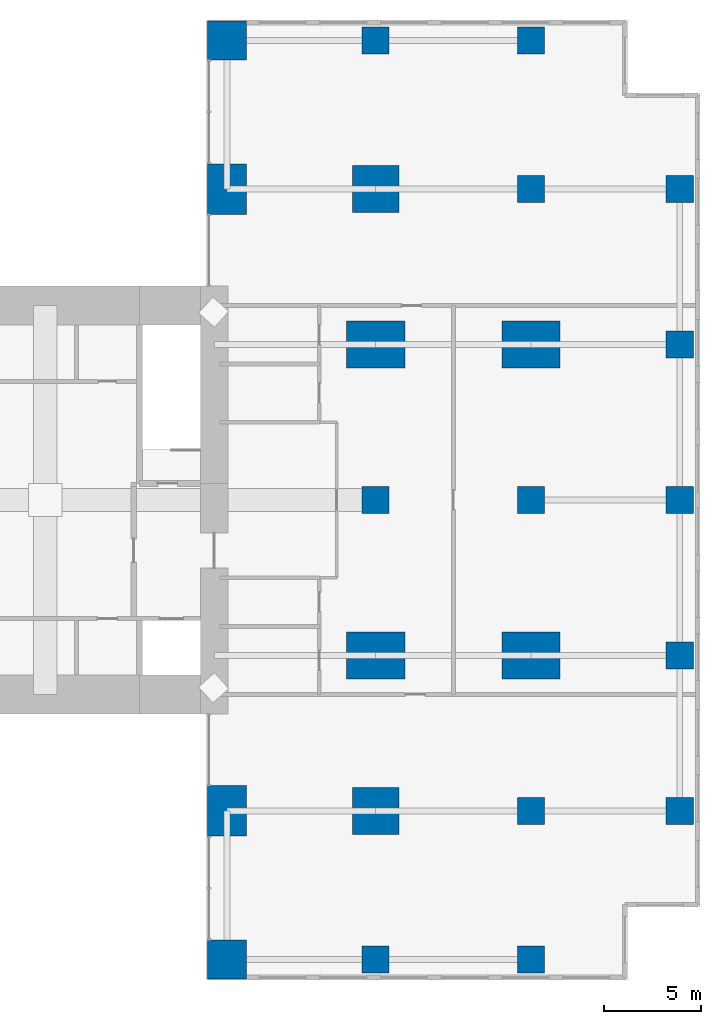
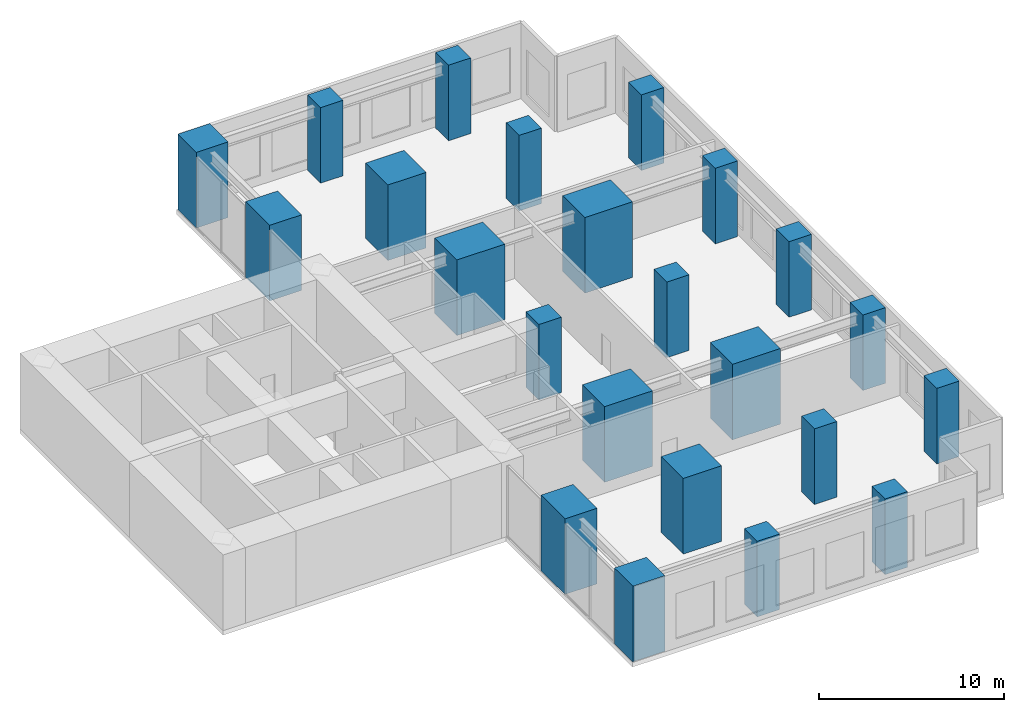
# One storey, part 1 of 7: 23 columns.
"""IFC4 building model written with IfcOpenShell, lengths in metres."""

import ifcopenshell
import ifcopenshell.guid

model = None  # the IFC model being written
_history = None  # IfcOwnerHistory: only IFC2X3 demands one
_inside = {}  # id of a spatial element -> (the spatial element, [elements in it])
_under = {}  # id of a project, library or spatial element -> (it, [spatial elements below it])
_declared = {}  # id of a project -> (the project, [libraries it declares])
_typed = {}  # id of a type object -> (the type object, [elements of that type])
_made_of = {}  # id of a material, layer set ... -> (it, [elements and type objects made of it])


def new_model(schema):
    """Start an empty IFC model of exactly this schema.

    Asked for "IFC4X3", IfcOpenShell would pick the latest addendum, in which some entities
    have other attributes; the version numbers below select the first issue.
    IFC2X3 requires an IfcOwnerHistory on every rooted entity: one is made here for all.
    """
    global model, _history
    if schema == "IFC4X3":
        model = ifcopenshell.file(schema_version=(4, 3, 0, 0))
    else:
        model = ifcopenshell.file(schema=schema)
    _inside.clear()
    _under.clear()
    _declared.clear()
    _typed.clear()
    _made_of.clear()
    _history = None
    if model.schema == "IFC2X3":
        org = make("IfcOrganization", Name="unknown")
        user = make(
            "IfcPersonAndOrganization",
            ThePerson=make("IfcPerson", FamilyName="unknown"),
            TheOrganization=org,
        )
        app = make(
            "IfcApplication",
            ApplicationDeveloper=org,
            Version="unknown",
            ApplicationFullName="unknown",
            ApplicationIdentifier="unknown",
        )
        _history = make(
            "IfcOwnerHistory",
            OwningUser=user,
            OwningApplication=app,
            ChangeAction="ADDED",
            CreationDate=0,
        )
    return model


def make(cls, **values):
    """One entity of the class cls with the attributes given. An attribute that is None is left unset."""
    return model.create_entity(
        cls, **{name: value for name, value in values.items() if value is not None}
    )


def rooted(cls, **values):
    """An entity with a GlobalId (a new one), such as an element, a storey or a relation."""
    return make(cls, GlobalId=ifcopenshell.guid.new(), OwnerHistory=_history, **values)


def si_unit(unit_type, name, prefix=None):
    """IfcSIUnit, for example si_unit("LENGTHUNIT", "METRE", prefix="MILLI")."""
    return make("IfcSIUnit", UnitType=unit_type, Prefix=prefix, Name=name)


def assignment(units):
    """IfcUnitAssignment: the units of a project."""
    return None if units is None else make("IfcUnitAssignment", Units=units)


def point(xyz):
    """IfcCartesianPoint."""
    return None if xyz is None else make("IfcCartesianPoint", Coordinates=xyz)


def direction(xyz):
    """IfcDirection."""
    return None if xyz is None else make("IfcDirection", DirectionRatios=xyz)


def frame(location, z_axis=None, x_axis=None):
    """IfcAxis2Placement3D, a coordinate frame: its origin and axes. An axis left out is left unset."""
    return make(
        "IfcAxis2Placement3D",
        Location=point(location),
        Axis=direction(z_axis),
        RefDirection=direction(x_axis),
    )


def frame_2d(location, x_axis=None):
    """IfcAxis2Placement2D, a coordinate frame in the plane: its origin and x axis."""
    return make(
        "IfcAxis2Placement2D", Location=point(location), RefDirection=direction(x_axis)
    )


def origin():
    """The frame at (0, 0, 0) with its axes left unset."""
    return frame((0.0, 0.0, 0.0))


def origin_2d():
    """The frame at (0, 0) in the plane with its x axis left unset."""
    return frame_2d((0.0, 0.0))


def place(relative_to, where):
    """IfcLocalPlacement: puts the frame where relative to a parent placement (None: the world)."""
    return make(
        "IfcLocalPlacement", PlacementRelTo=relative_to, RelativePlacement=where
    )


def context(
    kind, dimensions, precision=None, world=None, true_north=None, identifier=None
):
    """IfcGeometricRepresentationContext, for example the 3D "Model" context."""
    return make(
        "IfcGeometricRepresentationContext",
        ContextIdentifier=identifier,
        ContextType=kind,
        CoordinateSpaceDimension=dimensions,
        Precision=precision,
        WorldCoordinateSystem=world,
        TrueNorth=true_north,
    )


def subcontext(parent, identifier, kind, view, scale=None):
    """IfcGeometricRepresentationSubContext, for example "Body" below "Model"."""
    return make(
        "IfcGeometricRepresentationSubContext",
        ContextIdentifier=identifier,
        ContextType=kind,
        ParentContext=parent,
        TargetScale=scale,
        TargetView=view,
    )


def project(units=None, contexts=None):
    """IfcProject with its units and contexts."""
    return rooted(
        "IfcProject",
        Name="project",
        RepresentationContexts=contexts,
        UnitsInContext=assignment(units),
    )


def spatial(cls, under=None, at=None, **own):
    """A site, building, storey or space (cls), placed at a placement, below another one or the project."""
    s = rooted(cls, ObjectPlacement=at, **own)
    if under is not None:
        _under.setdefault(under.id(), (under, []))[1].append(s)
    return s


def profile(cls, at=None, kind="AREA", **sizes):
    """A parametric profile (cls). Its sizes go by their IFC names, for example OverallWidth=200.0."""
    return make(cls, ProfileType=kind, Position=at, **sizes)


def rectangle(**sizes):
    """IfcRectangleProfileDef."""
    return profile("IfcRectangleProfileDef", **sizes)


def extrude(swept, where, along, depth):
    """IfcExtrudedAreaSolid: the profile swept, set in the frame where, extruded along a direction by depth."""
    return make(
        "IfcExtrudedAreaSolid",
        SweptArea=swept,
        Position=where,
        ExtrudedDirection=direction(along),
        Depth=depth,
    )


def shape(context_of_items, identifier, shape_type, items):
    """IfcShapeRepresentation: the items that make up one representation, for example the "Body"."""
    return make(
        "IfcShapeRepresentation",
        ContextOfItems=context_of_items,
        RepresentationIdentifier=identifier,
        RepresentationType=shape_type,
        Items=items,
    )


def material(Name=None, Category=None):
    """IfcMaterial."""
    return make("IfcMaterial", Name=Name, Category=Category)


def material_profile(
    of_material, cross_section, Name=None, Category=None, Priority=None
):
    """IfcMaterialProfile: a cross section and its material."""
    return make(
        "IfcMaterialProfile",
        Name=Name,
        Material=of_material,
        Profile=cross_section,
        Priority=Priority,
        Category=Category,
    )


def profile_set(profiles, Name=None, composite=None):
    """IfcMaterialProfileSet."""
    return make(
        "IfcMaterialProfileSet",
        Name=Name,
        MaterialProfiles=profiles,
        CompositeProfile=composite,
    )


def made_of(thing, what):
    """Note that an element or type object is made of a material, layer set ...; save() writes the relation."""
    if what is not None:
        _made_of.setdefault(what.id(), (what, []))[1].append(thing)
    return thing


def type_object(cls, material=None, **own):
    """A type object (cls), such as IfcWallType, which elements share."""
    return made_of(rooted(cls, **own), material)


def element(
    cls,
    number,
    at=None,
    inside=None,
    cuts=None,
    type_object=None,
    material=None,
    context=None,
    identifier="Body",
    shape_type=None,
    held_by="IfcProductDefinitionShape",
    body=None,
    shapes=None,
    **own,
):
    """One element of the class cls, such as IfcWall. Its Tag is "e" and its number.

    at: its placement. inside: the storey or other place that contains it. cuts: it is an
    opening in that element (IfcRelVoidsElement). A single representation is given by context,
    identifier, shape_type and body (its items); several are given by shapes. held_by: the class
    of the entity that holds the representations. save() writes the other relations.
    """
    e = rooted(cls, Tag="e%d" % number, ObjectPlacement=at, **own)
    if body is not None:
        shapes = [shape(context, identifier, shape_type, body)]
    if shapes is not None:
        e.Representation = make(held_by, Representations=shapes)
    if inside is not None:
        _inside.setdefault(inside.id(), (inside, []))[1].append(e)
    if cuts is not None:
        rooted(
            "IfcRelVoidsElement", RelatingBuildingElement=cuts, RelatedOpeningElement=e
        )
    if type_object is not None:
        _typed.setdefault(type_object.id(), (type_object, []))[1].append(e)
    return made_of(e, material)


def aggregate(whole, parts):
    """IfcRelAggregates: a whole, such as a stair, and the parts it consists of."""
    return rooted("IfcRelAggregates", RelatingObject=whole, RelatedObjects=parts)


def save(model, path):
    """Write the relations noted so far, then the file.

    IfcRelAggregates (storeys below a building ...), IfcRelContainedInSpatialStructure (elements
    in a storey), IfcRelDefinesByType, IfcRelAssociatesMaterial and IfcRelDeclares: one each for
    every whole, place, type object, material and project.
    """
    for whole, parts in _under.values():
        aggregate(whole, parts)
    for where, things in _inside.values():
        rooted(
            "IfcRelContainedInSpatialStructure",
            RelatedElements=things,
            RelatingStructure=where,
        )
    for kind, things in _typed.values():
        rooted("IfcRelDefinesByType", RelatedObjects=things, RelatingType=kind)
    for what, things in _made_of.values():
        rooted("IfcRelAssociatesMaterial", RelatedObjects=things, RelatingMaterial=what)
    for by, libraries in _declared.values():
        rooted("IfcRelDeclares", RelatingContext=by, RelatedDefinitions=libraries)
    model.write(path)


model = new_model("IFC4")

# Units and contexts
model_context = context("Model", 3, precision=1e-05, world=origin(), true_north=direction((0.0, 1.0)))
body_context = subcontext(model_context, "Body", "Model", "MODEL_VIEW")
ifc_project = project(units=[si_unit("LENGTHUNIT", "METRE"), si_unit("AREAUNIT", "SQUARE_METRE"), si_unit("VOLUMEUNIT", "CUBIC_METRE"), si_unit("PLANEANGLEUNIT", "RADIAN"), si_unit("MASSUNIT", "GRAM", prefix="KILO")], contexts=[model_context])

# Site, building, storey
site_placement = place(None, origin())
site = spatial("IfcSite", under=ifc_project, at=site_placement, CompositionType="ELEMENT")
building_placement = place(site_placement, origin())
building = spatial("IfcBuilding", under=site, at=building_placement, Name="Cleftline Residences", CompositionType="ELEMENT")
storey_placement = place(building_placement, frame((0.0, 0.0, 296.60009765625)))
storey = spatial("IfcBuildingStorey", under=building, at=storey_placement, Name="L77", CompositionType="ELEMENT", Elevation=296.60009765625)

# Columns
ifc_material_1 = material(Name="Concrete B70", Category="concrete")
ifc_material_profile_1 = material_profile(ifc_material_1, rectangle(XDim=1.39990234375, YDim=1.39990234375, at=origin_2d()))
ifc_profile_set_1 = profile_set([ifc_material_profile_1], Name="Concrete B70")
column_type_1 = type_object("IfcColumnType", Name="COLUMN RC1400X1400", PredefinedType="COLUMN", material=ifc_profile_set_1)
for number, where, z_axis, x_axis, name in (
    (1, (50.0, 0.35009765625, 0.0), (0.0, 0.0, 1.0), (1.0, 0.0, 0.0), "Column C/9"),
    (2, (50.0, 24.0, 0.0), (0.0, 0.0, 1.0), (1.0, 0.0, 0.0), "Column F/9"),
    (3, (50.0, 47.64990234375, 0.0), (0.0, 0.0, 1.0), (1.0, 0.0, 0.0), "Column J/9"),
    (4, (58.0, 0.35009765625, 0.0), (0.0, 0.0, 1.0), (1.0, 0.0, 0.0), "Column C/10"),
    (5, (58.0, 8.0, 0.0), (0.0, 0.0, 1.0), (1.0, 0.0, 0.0), "Column D/10"),
    (6, (58.0, 24.0, 0.0), (0.0, 0.0, 1.0), (1.0, 0.0, 0.0), "Column F/10"),
    (7, (58.0, 40.0, 0.0), (0.0, 0.0, 1.0), (1.0, 0.0, 0.0), "Column H/10"),
    (8, (58.0, 47.64990234375, 0.0), (0.0, 0.0, 1.0), (1.0, 0.0, 0.0), "Column J/10"),
    (9, (65.64990234375, 8.0, 0.0), (0.0, 0.0, 1.0), (1.0, 0.0, 0.0), "Column D/11"),
    (10, (65.64990234375, 16.0, 0.0), (0.0, 0.0, 1.0), (1.0, 0.0, 0.0), "Column E/11"),
    (11, (65.64990234375, 24.0, 0.0), (0.0, 0.0, 1.0), (1.0, 0.0, 0.0), "Column F/11"),
    (12, (65.64990234375, 32.0, 0.0), (0.0, 0.0, 1.0), (1.0, 0.0, 0.0), "Column G/11"),
    (13, (65.64990234375, 40.0, 0.0), (0.0, 0.0, 1.0), (1.0, 0.0, 0.0), "Column H/11"),
):
    element("IfcColumn", number, at=place(storey_placement, frame(where, z_axis=z_axis, x_axis=x_axis)), inside=storey, type_object=column_type_1, Name=name, PredefinedType="COLUMN", context=body_context, shape_type="SweptSolid", body=[
        extrude(rectangle(XDim=1.39990234375, YDim=1.39990234375, at=origin_2d()), origin(), (0.0, 0.0, 1.0), 5.0),
    ])
ifc_material_2 = material(Name="Concrete B70", Category="concrete")
ifc_material_profile_2 = material_profile(ifc_material_2, rectangle(XDim=2.0, YDim=2.0, at=origin_2d()))
ifc_profile_set_2 = profile_set([ifc_material_profile_2], Name="Concrete B70")
column_type_2 = type_object("IfcColumnType", Name="COLUMN RC2000X2000", PredefinedType="COLUMN", material=ifc_profile_set_2)
for number, where, z_axis, x_axis, name in (
    (14, (42.35009765625, 0.35009765625, 0.0), (0.0, 0.0, 1.0), (1.0, 0.0, 0.0), "Column C/8"),
    (15, (42.35009765625, 47.64990234375, 0.0), (0.0, 0.0, 1.0), (1.0, 0.0, 0.0), "Column J/8"),
):
    element("IfcColumn", number, at=place(storey_placement, frame(where, z_axis=z_axis, x_axis=x_axis)), inside=storey, type_object=column_type_2, Name=name, PredefinedType="COLUMN", context=body_context, shape_type="SweptSolid", body=[
        extrude(rectangle(XDim=2.0, YDim=2.0, at=origin_2d()), origin(), (0.0, 0.0, 1.0), 5.0),
    ])
ifc_material_3 = material(Name="Concrete B70", Category="concrete")
ifc_material_profile_3 = material_profile(ifc_material_3, rectangle(XDim=2.0, YDim=2.60009765625, at=origin_2d()))
ifc_profile_set_3 = profile_set([ifc_material_profile_3], Name="Concrete B70")
column_type_3 = type_object("IfcColumnType", Name="COLUMN RC2000X2600", PredefinedType="COLUMN", material=ifc_profile_set_3)
for number, where, z_axis, x_axis, name in (
    (16, (42.35009765625, 8.0, 0.0), (0.0, 0.0, 1.0), (1.0, 0.0, 0.0), "Column D/8"),
    (17, (42.35009765625, 40.0, 0.0), (0.0, 0.0, 1.0), (1.0, 0.0, 0.0), "Column H/8"),
):
    element("IfcColumn", number, at=place(storey_placement, frame(where, z_axis=z_axis, x_axis=x_axis)), inside=storey, type_object=column_type_3, Name=name, PredefinedType="COLUMN", context=body_context, shape_type="SweptSolid", body=[
        extrude(rectangle(XDim=2.0, YDim=2.60009765625, at=origin_2d()), origin(), (0.0, 0.0, 1.0), 5.0),
    ])
ifc_material_4 = material(Name="Concrete B70", Category="concrete")
ifc_material_profile_4 = material_profile(ifc_material_4, rectangle(XDim=2.39990234375, YDim=2.39990234375, at=origin_2d()))
ifc_profile_set_4 = profile_set([ifc_material_profile_4], Name="Concrete B70")
column_type_4 = type_object("IfcColumnType", Name="COLUMN RC2400X2400", PredefinedType="COLUMN", material=ifc_profile_set_4)
for number, where, z_axis, x_axis, name in (
    (18, (50.0, 8.0, 0.0), (0.0, 0.0, 1.0), (1.0, 0.0, 0.0), "Column D/9"),
    (19, (50.0, 40.0, 0.0), (0.0, 0.0, 1.0), (1.0, 0.0, 0.0), "Column H/9"),
):
    element("IfcColumn", number, at=place(storey_placement, frame(where, z_axis=z_axis, x_axis=x_axis)), inside=storey, type_object=column_type_4, Name=name, PredefinedType="COLUMN", context=body_context, shape_type="SweptSolid", body=[
        extrude(rectangle(XDim=2.39990234375, YDim=2.39990234375, at=origin_2d()), origin(), (0.0, 0.0, 1.0), 5.0),
    ])
ifc_material_5 = material(Name="Concrete B70", Category="concrete")
ifc_material_profile_5 = material_profile(ifc_material_5, rectangle(XDim=3.0, YDim=2.39990234375, at=origin_2d()))
ifc_profile_set_5 = profile_set([ifc_material_profile_5], Name="Concrete B70")
column_type_5 = type_object("IfcColumnType", Name="COLUMN RC3000X2400", PredefinedType="COLUMN", material=ifc_profile_set_5)
for number, where, z_axis, x_axis, name in (
    (20, (50.0, 16.0, 0.0), (0.0, 0.0, 1.0), (1.0, 0.0, 0.0), "Column E/9"),
    (21, (50.0, 32.0, 0.0), (0.0, 0.0, 1.0), (1.0, 0.0, 0.0), "Column G/9"),
    (22, (58.0, 16.0, 0.0), (0.0, 0.0, 1.0), (1.0, 0.0, 0.0), "Column E/10"),
    (23, (58.0, 32.0, 0.0), (0.0, 0.0, 1.0), (1.0, 0.0, 0.0), "Column G/10"),
):
    element("IfcColumn", number, at=place(storey_placement, frame(where, z_axis=z_axis, x_axis=x_axis)), inside=storey, type_object=column_type_5, Name=name, PredefinedType="COLUMN", context=body_context, shape_type="SweptSolid", body=[
        extrude(rectangle(XDim=3.0, YDim=2.39990234375, at=origin_2d()), origin(), (0.0, 0.0, 1.0), 5.0),
    ])

save(model, "model.ifc")
